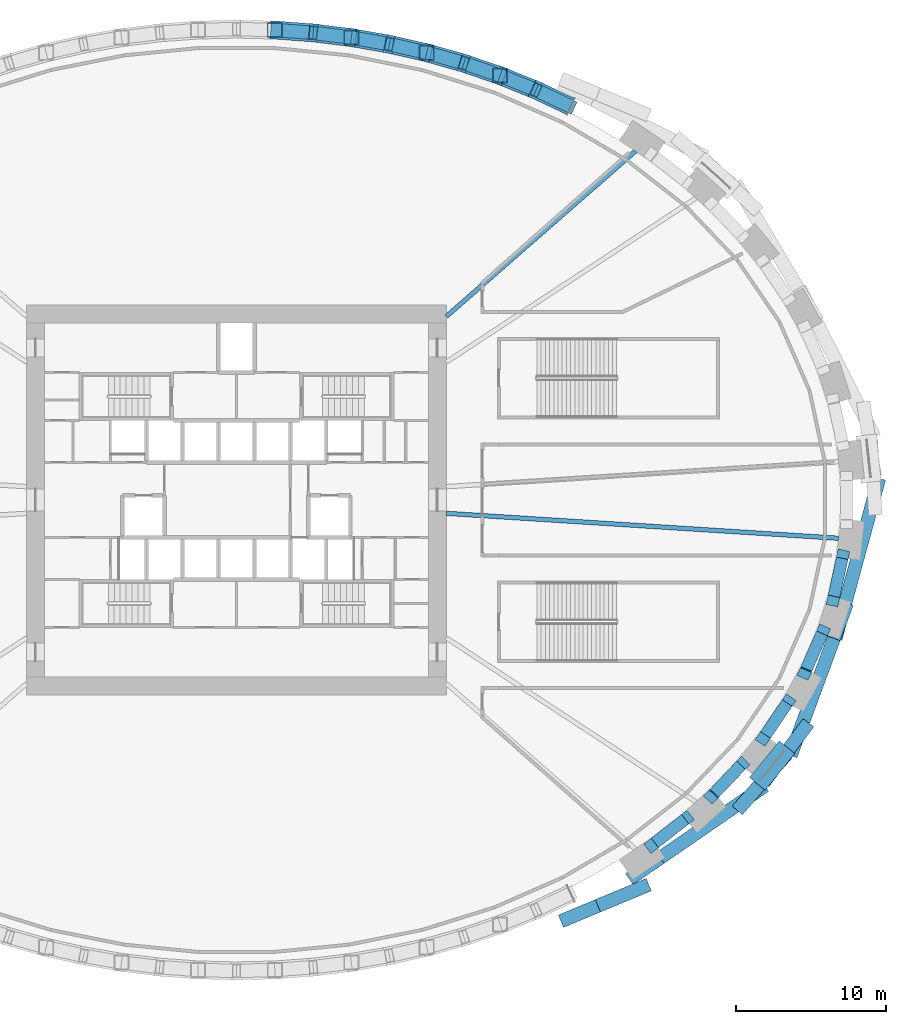
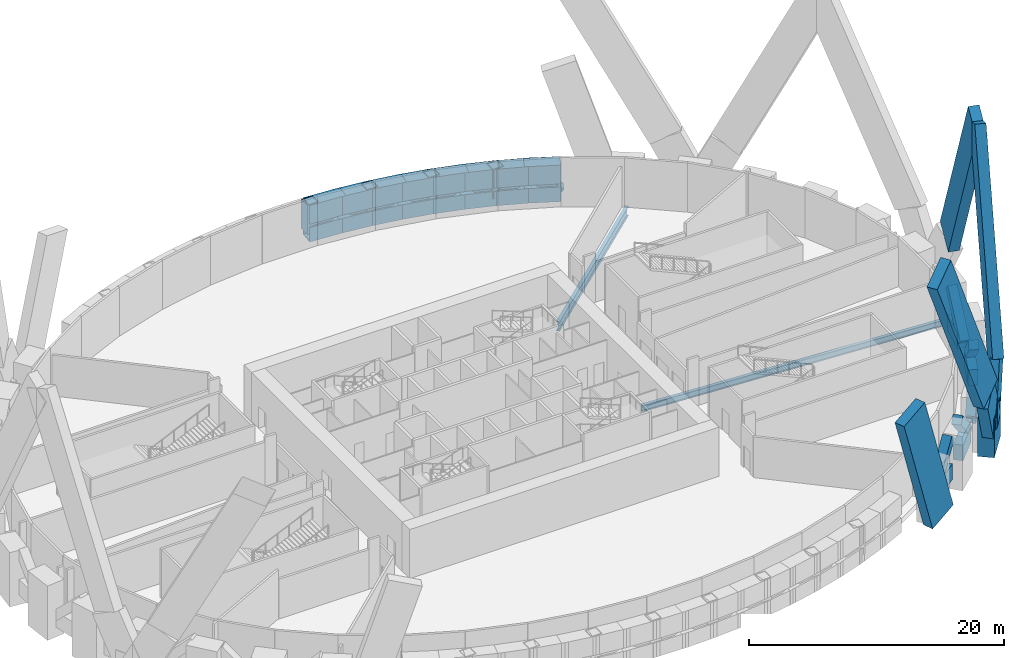
# One storey, part 4 of 16: 40 members, 7 beams.
"""IFC4 building model written with IfcOpenShell, lengths in metres."""

from ifc_helpers import new_model, si_unit, direction, frame, origin, origin_2d, place, context, subcontext, project, spatial, rectangle, hollow_rectangle, i_section, extrude, source, transform, mapped, material, material_profile, profile_set, type_object, element, save


model = new_model("IFC4")

# Units and contexts
model_context = context("Model", 3, precision=1e-05, world=origin(), true_north=direction((0.0, 1.0)))
body_context = subcontext(model_context, "Body", "Model", "MODEL_VIEW")
ifc_project = project(units=[si_unit("LENGTHUNIT", "METRE"), si_unit("AREAUNIT", "SQUARE_METRE"), si_unit("VOLUMEUNIT", "CUBIC_METRE"), si_unit("PLANEANGLEUNIT", "RADIAN"), si_unit("MASSUNIT", "GRAM", prefix="KILO")], contexts=[model_context])

# Site, building, storey
site_placement = place(None, origin())
site = spatial("IfcSite", under=ifc_project, at=site_placement, CompositionType="ELEMENT")
building_placement = place(site_placement, origin())
building = spatial("IfcBuilding", under=site, at=building_placement, Name="Embergate Tower", CompositionType="ELEMENT")
storey_placement = place(building_placement, frame((0.0, 0.0, 24.0)))
storey = spatial("IfcBuildingStorey", under=building, at=storey_placement, Name="L02", CompositionType="ELEMENT", Elevation=24.0)

# Beams
ifc_material_1 = material(Name="Concrete C70", Category="concrete")
ifc_material_profile_1 = material_profile(ifc_material_1, rectangle(XDim=0.800048828125, YDim=1.5, at=origin_2d()), Name="RC 800x1500")
ifc_profile_set_1 = profile_set([ifc_material_profile_1], Name="Concrete C70")
beam_type_1 = type_object("IfcBeamType", Name="Spandrel beam RC 800x1500 C70", PredefinedType="BEAM", material=ifc_profile_set_1)
shared_shape_1 = source(origin(), body_context, "Body", "SweptSolid", [
    extrude(rectangle(XDim=0.800048828125, YDim=1.5, at=origin_2d()), origin(), (0.0, 0.0, 1.0), 2.59716796875),
])
beam_1_placement = place(storey_placement, frame((39.862060546875, -6.424072265625, 0.0), z_axis=(0.210196709523, 0.977659114061, 0.0), x_axis=(-0.977659114061, 0.210196709523, 0.0)))
element("IfcBeam", 1, at=beam_1_placement, inside=storey, type_object=beam_type_1, Name="SPN-L02-42", PredefinedType="BEAM", context=body_context, shape_type="MappedRepresentation", body=[
    mapped(shared_shape_1, transform((0.0, 0.0, 0.0))),
])
shared_shape_2 = source(origin(), body_context, "Body", "SweptSolid", [
    extrude(rectangle(XDim=0.800048828125, YDim=1.5, at=origin_2d()), origin(), (0.0, 0.0, 1.0), 2.594482421875),
])
beam_2_placement = place(storey_placement, frame((38.02001953125, -11.27392578125, 0.0), z_axis=(0.401628265127, 0.915802782618, 0.0), x_axis=(-0.915802782618, 0.401628265127, 0.0)))
element("IfcBeam", 2, at=beam_2_placement, inside=storey, type_object=beam_type_1, Name="SPN-L02-41", PredefinedType="BEAM", context=body_context, shape_type="MappedRepresentation", body=[
    mapped(shared_shape_2, transform((0.0, 0.0, 0.0))),
])
shared_shape_3 = source(origin(), body_context, "Body", "SweptSolid", [
    extrude(rectangle(XDim=0.800048828125, YDim=1.5, at=origin_2d()), origin(), (0.0, 0.0, 1.0), 2.583251953125),
])
beam_3_placement = place(storey_placement, frame((35.291015625, -15.675048828125, 0.0), z_axis=(0.562418587306, 0.826852666836, 0.0), x_axis=(-0.826852666836, 0.562418587306, 0.0)))
element("IfcBeam", 3, at=beam_3_placement, inside=storey, type_object=beam_type_1, Name="SPN-L02-40", PredefinedType="BEAM", context=body_context, shape_type="MappedRepresentation", body=[
    mapped(shared_shape_3, transform((0.0, 0.0, 0.0))),
])
shared_shape_4 = source(origin(), body_context, "Body", "SweptSolid", [
    extrude(rectangle(XDim=0.800048828125, YDim=1.5, at=origin_2d()), origin(), (0.0, 0.0, 1.0), 2.577392578125),
])
beam_4_placement = place(storey_placement, frame((31.87890625, -19.56298828125, 0.0), z_axis=(0.68985145899, 0.723950940692, 0.0), x_axis=(-0.723950940692, 0.68985145899, 0.0)))
element("IfcBeam", 4, at=beam_4_placement, inside=storey, type_object=beam_type_1, Name="SPN-L02-39", PredefinedType="BEAM", context=body_context, shape_type="MappedRepresentation", body=[
    mapped(shared_shape_4, transform((0.0, 0.0, 0.0))),
])
shared_shape_5 = source(origin(), body_context, "Body", "SweptSolid", [
    extrude(rectangle(XDim=0.800048828125, YDim=1.5, at=origin_2d()), origin(), (0.0, 0.0, 1.0), 2.568359375),
])
beam_5_placement = place(storey_placement, frame((27.9130859375, -22.873046875, 0.0), z_axis=(0.788378750505, 0.615190170396, 0.0), x_axis=(-0.615190170396, 0.788378750505, 0.0)))
element("IfcBeam", 5, at=beam_5_placement, inside=storey, type_object=beam_type_1, Name="SPN-L02-38", PredefinedType="BEAM", context=body_context, shape_type="MappedRepresentation", body=[
    mapped(shared_shape_5, transform((0.0, 0.0, 0.0))),
])
ifc_material_2 = material(Name="Steel Q355B", Category="steel")
ifc_material_profile_2 = material_profile(ifc_material_2, i_section(OverallWidth=0.300048828125, OverallDepth=0.587890625, WebThickness=0.011962890625, FlangeThickness=0.02001953125, FilletRadius=0.012939453125, at=origin_2d()), Name="HM 588x300x12x20")
ifc_profile_set_2 = profile_set([ifc_material_profile_2], Name="Steel Q355 grade B")
beam_type_2 = type_object("IfcBeamType", Name="Plant girder HM 588x300x12x20", PredefinedType="BEAM", material=ifc_profile_set_2)
shared_shape_6 = source(origin(), body_context, "Body", "SweptSolid", [
    extrude(i_section(OverallWidth=0.300048828125, OverallDepth=0.587890625, WebThickness=0.011962890625, FlangeThickness=0.02001953125, FilletRadius=0.012939453125, at=origin_2d()), origin(), (0.0, 0.0, 1.0), 26.216796875),
])
beam_6_placement = place(storey_placement, frame((40.1640625, -2.552001953125, -0.7939453125), z_axis=(-0.997985925942, 0.063435728273, 0.0), x_axis=(-0.063435728273, -0.997985925942, 0.0)))
element("IfcBeam", 6, at=beam_6_placement, inside=storey, type_object=beam_type_2, Name="GIR-L02-43", PredefinedType="BEAM", context=body_context, shape_type="MappedRepresentation", body=[
    mapped(shared_shape_6, transform((0.0, 0.0, 0.0))),
])
ifc_material_profile_3 = material_profile(ifc_material_2, i_section(OverallWidth=0.300048828125, OverallDepth=0.89990234375, WebThickness=0.01611328125, FlangeThickness=0.028076171875, FilletRadius=0.028076171875, at=origin_2d()), Name="HN 900x300x16x28")
ifc_profile_set_3 = profile_set([ifc_material_profile_3], Name="Steel Q355 grade B")
beam_type_3 = type_object("IfcBeamType", Name="Plant girder HN 900x300x16x28", PredefinedType="BEAM", material=ifc_profile_set_3)
shared_shape_7 = source(origin(), body_context, "Body", "SweptSolid", [
    extrude(i_section(OverallWidth=0.300048828125, OverallDepth=0.89990234375, WebThickness=0.01611328125, FlangeThickness=0.028076171875, FilletRadius=0.028076171875, at=origin_2d()), origin(), (0.0, 0.0, 1.0), 16.760498046875),
])
beam_7_placement = place(storey_placement, frame((26.616943359375, 23.27587890625, -0.949951171875), z_axis=(-0.752779686922, -0.658272544587, 0.0), x_axis=(0.658272544587, -0.752779686922, 0.0)))
element("IfcBeam", 7, at=beam_7_placement, inside=storey, type_object=beam_type_3, Name="GIR-L02-05", PredefinedType="BEAM", context=body_context, shape_type="MappedRepresentation", body=[
    mapped(shared_shape_7, transform((0.0, 0.0, 0.0))),
])

# Members
ifc_material_3 = material(Name="Steel Q420GJD-Z25", Category="steel")
ifc_material_profile_4 = material_profile(ifc_material_3, hollow_rectangle(XDim=1.199951171875, YDim=1.39990234375, WallThickness=0.080078125, at=origin_2d()), Name="BOX 1400x1200x80")
ifc_profile_set_4 = profile_set([ifc_material_profile_4], Name="Steel Q420 grade GJD-Z25")
member_type_1 = type_object("IfcMemberType", Name="Transfer truss bottom chord BOX 1400x1200x80", PredefinedType="CHORD", material=ifc_profile_set_4)
shared_shape_8 = source(origin(), body_context, "Body", "SweptSolid", [
    extrude(hollow_rectangle(XDim=1.199951171875, YDim=1.39990234375, WallThickness=0.080078125, at=origin_2d()), origin(), (0.0, 0.0, 1.0), 2.85400390625),
])
member_1_placement = place(storey_placement, frame((22.297119140625, 26.256103515625, 0.699951171875), z_axis=(-0.904358715967, 0.426773139799, 0.0), x_axis=(-0.426773139799, -0.904358715967, 0.0)))
element("IfcMember", 8, at=member_1_placement, inside=storey, type_object=member_type_1, Name="TRF-N-BC00", PredefinedType="CHORD", context=body_context, shape_type="MappedRepresentation", body=[
    mapped(shared_shape_8, transform((0.0, 0.0, 0.0))),
])
ifc_material_profile_5 = material_profile(ifc_material_3, hollow_rectangle(XDim=1.199951171875, YDim=1.800048828125, WallThickness=0.090087890625, at=origin_2d()), Name="BOX 1800x1200x90")
ifc_profile_set_5 = profile_set([ifc_material_profile_5], Name="Steel Q420 grade GJD-Z25")
member_type_2 = type_object("IfcMemberType", Name="Transfer truss top chord BOX 1800x1200x90", PredefinedType="CHORD", material=ifc_profile_set_5)
shared_shape_9 = source(origin(), body_context, "Body", "SweptSolid", [
    extrude(hollow_rectangle(XDim=1.199951171875, YDim=1.800048828125, WallThickness=0.090087890625, at=origin_2d()), origin(), (0.0, 0.0, 1.0), 2.85400390625),
])
member_2_placement = place(storey_placement, frame((22.297119140625, 26.256103515625, 2.60009765625), z_axis=(-0.904358715967, 0.426773139799, 0.0), x_axis=(-0.426773139799, -0.904358715967, 0.0)))
element("IfcMember", 9, at=member_2_placement, inside=storey, type_object=member_type_2, Name="TRF-N-TC00", PredefinedType="CHORD", context=body_context, shape_type="MappedRepresentation", body=[
    mapped(shared_shape_9, transform((0.0, 0.0, 0.0))),
])
shared_shape_10 = source(origin(), body_context, "Body", "SweptSolid", [
    extrude(hollow_rectangle(XDim=1.199951171875, YDim=1.39990234375, WallThickness=0.080078125, at=origin_2d()), origin(), (0.0, 0.0, 1.0), 3.184814453125),
])
member_3_placement = place(storey_placement, frame((20.264892578125, 27.23388671875, 0.699951171875), z_axis=(-0.927175792195, 0.374626547868, 0.0), x_axis=(-0.374626547868, -0.927175792195, 0.0)))
element("IfcMember", 10, at=member_3_placement, inside=storey, type_object=member_type_1, Name="TRF-N-BC01", PredefinedType="CHORD", context=body_context, shape_type="MappedRepresentation", body=[
    mapped(shared_shape_10, transform((0.0, 0.0, 0.0))),
])
shared_shape_11 = source(origin(), body_context, "Body", "SweptSolid", [
    extrude(hollow_rectangle(XDim=1.199951171875, YDim=1.800048828125, WallThickness=0.090087890625, at=origin_2d()), origin(), (0.0, 0.0, 1.0), 3.184814453125),
])
member_4_placement = place(storey_placement, frame((20.264892578125, 27.23388671875, 2.60009765625), z_axis=(-0.927175792195, 0.374626547868, 0.0), x_axis=(-0.374626547868, -0.927175792195, 0.0)))
element("IfcMember", 11, at=member_4_placement, inside=storey, type_object=member_type_2, Name="TRF-N-TC01", PredefinedType="CHORD", context=body_context, shape_type="MappedRepresentation", body=[
    mapped(shared_shape_11, transform((0.0, 0.0, 0.0))),
])
shared_shape_12 = source(origin(), body_context, "Body", "SweptSolid", [
    extrude(hollow_rectangle(XDim=1.199951171875, YDim=1.39990234375, WallThickness=0.080078125, at=origin_2d()), origin(), (0.0, 0.0, 1.0), 3.15478515625),
])
member_5_placement = place(storey_placement, frame((17.8740234375, 28.218017578125, 0.699951171875), z_axis=(-0.946502130623, 0.322697562317, 0.0), x_axis=(-0.322697562317, -0.946502130623, 0.0)))
element("IfcMember", 12, at=member_5_placement, inside=storey, type_object=member_type_1, Name="TRF-N-BC02", PredefinedType="CHORD", context=body_context, shape_type="MappedRepresentation", body=[
    mapped(shared_shape_12, transform((0.0, 0.0, 0.0))),
])
shared_shape_13 = source(origin(), body_context, "Body", "SweptSolid", [
    extrude(hollow_rectangle(XDim=1.199951171875, YDim=1.800048828125, WallThickness=0.090087890625, at=origin_2d()), origin(), (0.0, 0.0, 1.0), 3.15478515625),
])
member_6_placement = place(storey_placement, frame((17.8740234375, 28.218017578125, 2.60009765625), z_axis=(-0.946502130623, 0.322697562317, 0.0), x_axis=(-0.322697562317, -0.946502130623, 0.0)))
element("IfcMember", 13, at=member_6_placement, inside=storey, type_object=member_type_2, Name="TRF-N-TC02", PredefinedType="CHORD", context=body_context, shape_type="MappedRepresentation", body=[
    mapped(shared_shape_13, transform((0.0, 0.0, 0.0))),
])
shared_shape_14 = source(origin(), body_context, "Body", "SweptSolid", [
    extrude(hollow_rectangle(XDim=1.199951171875, YDim=1.39990234375, WallThickness=0.080078125, at=origin_2d()), origin(), (0.0, 0.0, 1.0), 3.17919921875),
])
member_7_placement = place(storey_placement, frame((15.4609375, 29.056884765625, 0.699951171875), z_axis=(-0.962164650456, 0.272468687032, 0.0), x_axis=(-0.272468687032, -0.962164650456, 0.0)))
element("IfcMember", 14, at=member_7_placement, inside=storey, type_object=member_type_1, Name="TRF-N-BC03", PredefinedType="CHORD", context=body_context, shape_type="MappedRepresentation", body=[
    mapped(shared_shape_14, transform((0.0, 0.0, 0.0))),
])
shared_shape_15 = source(origin(), body_context, "Body", "SweptSolid", [
    extrude(hollow_rectangle(XDim=1.199951171875, YDim=1.800048828125, WallThickness=0.090087890625, at=origin_2d()), origin(), (0.0, 0.0, 1.0), 3.17919921875),
])
member_8_placement = place(storey_placement, frame((15.4609375, 29.056884765625, 2.60009765625), z_axis=(-0.962164650456, 0.272468687032, 0.0), x_axis=(-0.272468687032, -0.962164650456, 0.0)))
element("IfcMember", 15, at=member_8_placement, inside=storey, type_object=member_type_2, Name="TRF-N-TC03", PredefinedType="CHORD", context=body_context, shape_type="MappedRepresentation", body=[
    mapped(shared_shape_15, transform((0.0, 0.0, 0.0))),
])
shared_shape_16 = source(origin(), body_context, "Body", "SweptSolid", [
    extrude(hollow_rectangle(XDim=1.199951171875, YDim=1.39990234375, WallThickness=0.080078125, at=origin_2d()), origin(), (0.0, 0.0, 1.0), 3.156982421875),
])
member_9_placement = place(storey_placement, frame((12.98388671875, 29.77490234375, 0.699951171875), z_axis=(-0.975251981283, 0.221096298033, 0.0), x_axis=(-0.221096298033, -0.975251981283, 0.0)))
element("IfcMember", 16, at=member_9_placement, inside=storey, type_object=member_type_1, Name="TRF-N-BC04", PredefinedType="CHORD", context=body_context, shape_type="MappedRepresentation", body=[
    mapped(shared_shape_16, transform((0.0, 0.0, 0.0))),
])
shared_shape_17 = source(origin(), body_context, "Body", "SweptSolid", [
    extrude(hollow_rectangle(XDim=1.199951171875, YDim=1.800048828125, WallThickness=0.090087890625, at=origin_2d()), origin(), (0.0, 0.0, 1.0), 3.156982421875),
])
member_10_placement = place(storey_placement, frame((12.98388671875, 29.77490234375, 2.60009765625), z_axis=(-0.975251981283, 0.221096298033, 0.0), x_axis=(-0.221096298033, -0.975251981283, 0.0)))
element("IfcMember", 17, at=member_10_placement, inside=storey, type_object=member_type_2, Name="TRF-N-TC04", PredefinedType="CHORD", context=body_context, shape_type="MappedRepresentation", body=[
    mapped(shared_shape_17, transform((0.0, 0.0, 0.0))),
])
shared_shape_18 = source(origin(), body_context, "Body", "SweptSolid", [
    extrude(hollow_rectangle(XDim=1.199951171875, YDim=1.39990234375, WallThickness=0.080078125, at=origin_2d()), origin(), (0.0, 0.0, 1.0), 3.17431640625),
])
member_11_placement = place(storey_placement, frame((10.493896484375, 30.35498046875, 0.699951171875), z_axis=(-0.985100907682, 0.17197732898, 0.0), x_axis=(-0.17197732898, -0.985100907682, 0.0)))
element("IfcMember", 18, at=member_11_placement, inside=storey, type_object=member_type_1, Name="TRF-N-BC05", PredefinedType="CHORD", context=body_context, shape_type="MappedRepresentation", body=[
    mapped(shared_shape_18, transform((0.0, 0.0, 0.0))),
])
shared_shape_19 = source(origin(), body_context, "Body", "SweptSolid", [
    extrude(hollow_rectangle(XDim=1.199951171875, YDim=1.800048828125, WallThickness=0.090087890625, at=origin_2d()), origin(), (0.0, 0.0, 1.0), 3.17431640625),
])
member_12_placement = place(storey_placement, frame((10.493896484375, 30.35498046875, 2.60009765625), z_axis=(-0.985100907682, 0.17197732898, 0.0), x_axis=(-0.17197732898, -0.985100907682, 0.0)))
element("IfcMember", 19, at=member_12_placement, inside=storey, type_object=member_type_2, Name="TRF-N-TC05", PredefinedType="CHORD", context=body_context, shape_type="MappedRepresentation", body=[
    mapped(shared_shape_19, transform((0.0, 0.0, 0.0))),
])
shared_shape_20 = source(origin(), body_context, "Body", "SweptSolid", [
    extrude(hollow_rectangle(XDim=1.199951171875, YDim=1.39990234375, WallThickness=0.080078125, at=origin_2d()), origin(), (0.0, 0.0, 1.0), 3.15966796875),
])
member_13_placement = place(storey_placement, frame((7.9609375, 30.81201171875, 0.699951171875), z_axis=(-0.992472771118, 0.122465499589, 0.0), x_axis=(-0.122465499589, -0.992472771118, 0.0)))
element("IfcMember", 20, at=member_13_placement, inside=storey, type_object=member_type_1, Name="TRF-N-BC06", PredefinedType="CHORD", context=body_context, shape_type="MappedRepresentation", body=[
    mapped(shared_shape_20, transform((0.0, 0.0, 0.0))),
])
shared_shape_21 = source(origin(), body_context, "Body", "SweptSolid", [
    extrude(hollow_rectangle(XDim=1.199951171875, YDim=1.800048828125, WallThickness=0.090087890625, at=origin_2d()), origin(), (0.0, 0.0, 1.0), 3.15966796875),
])
member_14_placement = place(storey_placement, frame((7.9609375, 30.81201171875, 2.60009765625), z_axis=(-0.992472771118, 0.122465499589, 0.0), x_axis=(-0.122465499589, -0.992472771118, 0.0)))
element("IfcMember", 21, at=member_14_placement, inside=storey, type_object=member_type_2, Name="TRF-N-TC06", PredefinedType="CHORD", context=body_context, shape_type="MappedRepresentation", body=[
    mapped(shared_shape_21, transform((0.0, 0.0, 0.0))),
])
shared_shape_22 = source(origin(), body_context, "Body", "SweptSolid", [
    extrude(hollow_rectangle(XDim=1.199951171875, YDim=1.39990234375, WallThickness=0.080078125, at=origin_2d()), origin(), (0.0, 0.0, 1.0), 3.167724609375),
])
member_15_placement = place(storey_placement, frame((5.422119140625, 31.139892578125, 0.699951171875), z_axis=(-0.997310277144, 0.0732953689, 0.0), x_axis=(-0.0732953689, -0.997310277144, 0.0)))
element("IfcMember", 22, at=member_15_placement, inside=storey, type_object=member_type_1, Name="TRF-N-BC07", PredefinedType="CHORD", context=body_context, shape_type="MappedRepresentation", body=[
    mapped(shared_shape_22, transform((0.0, 0.0, 0.0))),
])
shared_shape_23 = source(origin(), body_context, "Body", "SweptSolid", [
    extrude(hollow_rectangle(XDim=1.199951171875, YDim=1.800048828125, WallThickness=0.090087890625, at=origin_2d()), origin(), (0.0, 0.0, 1.0), 3.167724609375),
])
member_16_placement = place(storey_placement, frame((5.422119140625, 31.139892578125, 2.60009765625), z_axis=(-0.997310277144, 0.0732953689, 0.0), x_axis=(-0.0732953689, -0.997310277144, 0.0)))
element("IfcMember", 23, at=member_16_placement, inside=storey, type_object=member_type_2, Name="TRF-N-TC07", PredefinedType="CHORD", context=body_context, shape_type="MappedRepresentation", body=[
    mapped(shared_shape_23, transform((0.0, 0.0, 0.0))),
])
ifc_material_4 = material(Name="Steel Q355D", Category="steel")
ifc_material_profile_6 = material_profile(ifc_material_4, hollow_rectangle(XDim=1.0, YDim=1.0, WallThickness=0.06005859375, at=origin_2d()), Name="BOX 1000x1000x60")
ifc_profile_set_6 = profile_set([ifc_material_profile_6], Name="Steel Q355 grade D")
member_type_3 = type_object("IfcMemberType", Name="Transfer truss post BOX 1000x1000x60", PredefinedType="POST", material=ifc_profile_set_6)
shared_shape_24 = source(origin(), body_context, "Body", "SweptSolid", [
    extrude(hollow_rectangle(XDim=1.0, YDim=1.0, WallThickness=0.06005859375, at=origin_2d()), origin(), (0.0, 0.0, 1.0), 2.800048828125),
])
for number, where, z_axis, x_axis, name in (
    (24, (17.590087890625, 28.31494140625, 0.699951171875), (0.0, 0.0, 1.0), (1.0, 0.0, 0.0), "TRF-N-PO02"),
    (25, (12.69091796875, 29.841064453125, 0.699951171875), (0.0, 0.0, 1.0), (1.0, 0.0, 0.0), "TRF-N-PO04"),
    (26, (7.6630859375, 30.84912109375, 0.699951171875), (0.0, 0.0, 1.0), (1.0, 0.0, 0.0), "TRF-N-PO06"),
    (27, (2.56201171875, 31.35009765625, 0.699951171875), (0.0, 0.0, 1.0), (1.0, 0.0, 0.0), "TRF-N-PO08"),
):
    element("IfcMember", number, at=place(storey_placement, frame(where, z_axis=z_axis, x_axis=x_axis)), inside=storey, type_object=member_type_3, Name=name, PredefinedType="POST", context=body_context, shape_type="MappedRepresentation", body=[
        mapped(shared_shape_24, transform((0.0, 0.0, 0.0))),
    ])
ifc_material_profile_7 = material_profile(ifc_material_4, hollow_rectangle(XDim=0.89990234375, YDim=0.89990234375, WallThickness=0.050048828125, at=origin_2d()), Name="BOX 900x900x50")
ifc_profile_set_7 = profile_set([ifc_material_profile_7], Name="Steel Q355 grade D")
member_type_4 = type_object("IfcMemberType", Name="Transfer truss diagonal BOX 900x900x50", PredefinedType="BRACE", material=ifc_profile_set_7)
shared_shape_25 = source(origin(), body_context, "Body", "SweptSolid", [
    extrude(hollow_rectangle(XDim=0.89990234375, YDim=0.89990234375, WallThickness=0.050048828125, at=origin_2d()), origin(), (0.0, 0.0, 1.0), 3.18359375),
])
member_17_placement = place(storey_placement, frame((22.297119140625, 26.256103515625, 0.699951171875), z_axis=(-0.725634345581, 0.342341124358, 0.596872977347), x_axis=(-0.4266806336, -0.904402364499, 0.0)))
element("IfcMember", 28, at=member_17_placement, inside=storey, type_object=member_type_4, Name="TRF-N-DG00", PredefinedType="BRACE", context=body_context, shape_type="MappedRepresentation", body=[
    mapped(shared_shape_25, transform((0.0, 0.0, 0.0))),
])
shared_shape_26 = source(origin(), body_context, "Body", "SweptSolid", [
    extrude(hollow_rectangle(XDim=0.89990234375, YDim=0.89990234375, WallThickness=0.050048828125, at=origin_2d()), origin(), (0.0, 0.0, 1.0), 3.20849609375),
])
member_18_placement = place(storey_placement, frame((19.987060546875, 27.345947265625, 2.60009765625), z_axis=(-0.747050975398, 0.302000949415, -0.592207959006), x_axis=(-0.374790902419, -0.927109367585, 0.0)))
element("IfcMember", 29, at=member_18_placement, inside=storey, type_object=member_type_4, Name="TRF-N-DG01", PredefinedType="BRACE", context=body_context, shape_type="MappedRepresentation", body=[
    mapped(shared_shape_26, transform((0.0, 0.0, 0.0))),
])
shared_shape_27 = source(origin(), body_context, "Body", "SweptSolid", [
    extrude(hollow_rectangle(XDim=0.89990234375, YDim=0.89990234375, WallThickness=0.050048828125, at=origin_2d()), origin(), (0.0, 0.0, 1.0), 3.183837890625),
])
member_19_placement = place(storey_placement, frame((17.590087890625, 28.31494140625, 0.699951171875), z_axis=(-0.759479434261, 0.258808874256, 0.596832435062), x_axis=(-0.322557168561, -0.946549984422, 0.0)))
element("IfcMember", 30, at=member_19_placement, inside=storey, type_object=member_type_4, Name="TRF-N-DG02", PredefinedType="BRACE", context=body_context, shape_type="MappedRepresentation", body=[
    mapped(shared_shape_27, transform((0.0, 0.0, 0.0))),
])
shared_shape_28 = source(origin(), body_context, "Body", "SweptSolid", [
    extrude(hollow_rectangle(XDim=0.89990234375, YDim=0.89990234375, WallThickness=0.050048828125, at=origin_2d()), origin(), (0.0, 0.0, 1.0), 3.203125),
])
member_20_placement = place(storey_placement, frame((15.172119140625, 29.138916015625, 2.60009765625), z_axis=(-0.774621976013, 0.219208186856, -0.593218817211), x_axis=(-0.272294349332, -0.962214002872, 0.0)))
element("IfcMember", 31, at=member_20_placement, inside=storey, type_object=member_type_4, Name="TRF-N-DG03", PredefinedType="BRACE", context=body_context, shape_type="MappedRepresentation", body=[
    mapped(shared_shape_28, transform((0.0, 0.0, 0.0))),
])
shared_shape_29 = source(origin(), body_context, "Body", "SweptSolid", [
    extrude(hollow_rectangle(XDim=0.89990234375, YDim=0.89990234375, WallThickness=0.050048828125, at=origin_2d()), origin(), (0.0, 0.0, 1.0), 3.185302734375),
])
member_21_placement = place(storey_placement, frame((12.69091796875, 29.841064453125, 0.699951171875), z_axis=(-0.782658403061, 0.177671352296, 0.596555709629), x_axis=(-0.221377552886, -0.97518817624, 0.0)))
element("IfcMember", 32, at=member_21_placement, inside=storey, type_object=member_type_4, Name="TRF-N-DG04", PredefinedType="BRACE", context=body_context, shape_type="MappedRepresentation", body=[
    mapped(shared_shape_29, transform((0.0, 0.0, 0.0))),
])
shared_shape_30 = source(origin(), body_context, "Body", "SweptSolid", [
    extrude(hollow_rectangle(XDim=0.89990234375, YDim=0.89990234375, WallThickness=0.050048828125, at=origin_2d()), origin(), (0.0, 0.0, 1.0), 3.19873046875),
])
member_22_placement = place(storey_placement, frame((10.197998046875, 30.406982421875, 2.60009765625), z_axis=(-0.792476520346, 0.138223536391, -0.594033011447), x_axis=(-0.171825645618, -0.985127376286, 0.0)))
element("IfcMember", 33, at=member_22_placement, inside=storey, type_object=member_type_4, Name="TRF-N-DG05", PredefinedType="BRACE", context=body_context, shape_type="MappedRepresentation", body=[
    mapped(shared_shape_30, transform((0.0, 0.0, 0.0))),
])
shared_shape_31 = source(origin(), body_context, "Body", "SweptSolid", [
    extrude(hollow_rectangle(XDim=0.89990234375, YDim=0.89990234375, WallThickness=0.050048828125, at=origin_2d()), origin(), (0.0, 0.0, 1.0), 3.1875),
])
member_23_placement = place(storey_placement, frame((7.6630859375, 30.84912109375, 0.699951171875), z_axis=(-0.796868705357, 0.098191626323, 0.596119678373), x_axis=(-0.122296880814, -0.992493563175, 0.0)))
element("IfcMember", 34, at=member_23_placement, inside=storey, type_object=member_type_4, Name="TRF-N-DG06", PredefinedType="BRACE", context=body_context, shape_type="MappedRepresentation", body=[
    mapped(shared_shape_31, transform((0.0, 0.0, 0.0))),
])
shared_shape_32 = source(origin(), body_context, "Body", "SweptSolid", [
    extrude(hollow_rectangle(XDim=0.89990234375, YDim=0.89990234375, WallThickness=0.050048828125, at=origin_2d()), origin(), (0.0, 0.0, 1.0), 3.194580078125),
])
member_24_placement = place(storey_placement, frame((5.123046875, 31.162109375, 2.60009765625), z_axis=(-0.801702703842, 0.058847576926, -0.594819079504), x_axis=(-0.073206287076, -0.997316820039, 0.0)))
element("IfcMember", 35, at=member_24_placement, inside=storey, type_object=member_type_4, Name="TRF-N-DG07", PredefinedType="BRACE", context=body_context, shape_type="MappedRepresentation", body=[
    mapped(shared_shape_32, transform((0.0, 0.0, 0.0))),
])
ifc_material_profile_8 = material_profile(ifc_material_1, rectangle(XDim=0.800048828125, YDim=0.800048828125, at=origin_2d()), Name="RC 800x800")
ifc_profile_set_8 = profile_set([ifc_material_profile_8], Name="Concrete C70")
member_type_5 = type_object("IfcMemberType", Name="Belt ring diagonal RC 800x800", PredefinedType="BRACE", material=ifc_profile_set_8)
shared_shape_33 = source(origin(), body_context, "Body", "SweptSolid", [
    extrude(rectangle(XDim=0.800048828125, YDim=0.800048828125, at=origin_2d()), origin(), (0.0, 0.0, 1.0), 4.548583984375),
])
member_25_placement = place(storey_placement, frame((39.7880859375, -6.77001953125, 0.0810546875), z_axis=(0.148834484333, 0.692056199419, 0.706333145987), x_axis=(-0.977646803044, 0.210253961908, 0.0)))
element("IfcMember", 36, at=member_25_placement, inside=storey, type_object=member_type_5, Name="BLT-L02-42", PredefinedType="BRACE", context=body_context, shape_type="MappedRepresentation", body=[
    mapped(shared_shape_33, transform((0.0, 0.0, 0.0))),
])
shared_shape_34 = source(origin(), body_context, "Body", "SweptSolid", [
    extrude(rectangle(XDim=0.800048828125, YDim=0.800048828125, at=origin_2d()), origin(), (0.0, 0.0, 1.0), 4.48681640625),
])
member_26_placement = place(storey_placement, frame((39.153076171875, -8.69091796875, 0.2080078125), z_axis=(-0.284201174876, -0.647900323425, 0.706721206067), x_axis=(0.915770340251, -0.401702232899, 0.0)))
element("IfcMember", 37, at=member_26_placement, inside=storey, type_object=member_type_5, Name="BLT-L02-41", PredefinedType="BRACE", context=body_context, shape_type="MappedRepresentation", body=[
    mapped(shared_shape_34, transform((0.0, 0.0, 0.0))),
])
shared_shape_35 = source(origin(), body_context, "Body", "SweptSolid", [
    extrude(rectangle(XDim=0.800048828125, YDim=0.800048828125, at=origin_2d()), origin(), (0.0, 0.0, 1.0), 4.419677734375),
])
member_27_placement = place(storey_placement, frame((35.092041015625, -15.967041015625, 0.080078125), z_axis=(0.397071099663, 0.58378511147, 0.708187464898), x_axis=(-0.826862464884, 0.562404182209, 0.0)))
element("IfcMember", 38, at=member_27_placement, inside=storey, type_object=member_type_5, Name="BLT-L02-40", PredefinedType="BRACE", context=body_context, shape_type="MappedRepresentation", body=[
    mapped(shared_shape_35, transform((0.0, 0.0, 0.0))),
])
shared_shape_36 = source(origin(), body_context, "Body", "SweptSolid", [
    extrude(rectangle(XDim=0.800048828125, YDim=0.800048828125, at=origin_2d()), origin(), (0.0, 0.0, 1.0), 4.3896484375),
])
member_28_placement = place(storey_placement, frame((27.635986328125, -23.089111328125, 0.077880859375), z_axis=(0.554726152851, 0.432868823705, 0.710565603451), x_axis=(-0.615192978078, 0.788376559598, 0.0)))
element("IfcMember", 39, at=member_28_placement, inside=storey, type_object=member_type_5, Name="BLT-L02-38", PredefinedType="BRACE", context=body_context, shape_type="MappedRepresentation", body=[
    mapped(shared_shape_36, transform((0.0, 0.0, 0.0))),
])
shared_shape_37 = source(origin(), body_context, "Body", "SweptSolid", [
    extrude(rectangle(XDim=0.800048828125, YDim=0.800048828125, at=origin_2d()), origin(), (0.0, 0.0, 1.0), 4.39599609375),
])
member_29_placement = place(storey_placement, frame((33.77392578125, -17.573974609375, 0.263916015625), z_axis=(-0.48635011243, -0.510509333499, 0.709114792223), x_axis=(0.724031150672, -0.689767274417, 0.0)))
element("IfcMember", 40, at=member_29_placement, inside=storey, type_object=member_type_5, Name="BLT-L02-39", PredefinedType="BRACE", context=body_context, shape_type="MappedRepresentation", body=[
    mapped(shared_shape_37, transform((0.0, 0.0, 0.0))),
])
ifc_material_profile_9 = material_profile(ifc_material_1, rectangle(XDim=1.35009765625, YDim=3.14990234375, at=origin_2d()), Name="RC 1350x3150")
ifc_profile_set_9 = profile_set([ifc_material_profile_9], Name="Concrete C70")
member_type_6 = type_object("IfcMemberType", Name="Lattice node block RC 1350x3150", PredefinedType="POST", material=ifc_profile_set_9)
shared_shape_38 = source(origin(), body_context, "Body", "SweptSolid", [
    extrude(rectangle(XDim=1.35009765625, YDim=3.14990234375, at=origin_2d()), origin(), (0.0, 0.0, 1.0), 3.64990234375),
])
member_30_placement = place(storey_placement, frame((35.739990234375, -17.715087890625, -1.824951171875), z_axis=(0.0, 0.0, 1.0), x_axis=(0.775925311702, -0.630824786022, 0.0)))
element("IfcMember", 41, at=member_30_placement, inside=storey, type_object=member_type_6, Name="NOD-L02-40", PredefinedType="POST", context=body_context, shape_type="MappedRepresentation", body=[
    mapped(shared_shape_38, transform((0.0, 0.0, 0.0))),
])
ifc_material_profile_10 = material_profile(ifc_material_1, rectangle(XDim=0.89990234375, YDim=2.800048828125, at=origin_2d()), Name="RC 900x2800")
ifc_profile_set_10 = profile_set([ifc_material_profile_10], Name="Concrete C70")
member_type_7 = type_object("IfcMemberType", Name="Lattice diagonal terracotta-faced RC 900x2800", PredefinedType="BRACE", material=ifc_profile_set_10)
shared_shape_39 = source(origin(), body_context, "Body", "SweptSolid", [
    extrude(rectangle(XDim=0.89990234375, YDim=2.800048828125, at=origin_2d()), origin(), (0.0, 0.0, 1.0), 18.87451171875),
])
member_31_placement = place(storey_placement, frame((42.549072265625, 0.243896484375, 5.0), z_axis=(-0.119635866594, -0.439790189665, 0.890096538865), x_axis=(0.964934555144, -0.262490579427, 0.0)))
element("IfcMember", 42, at=member_31_placement, inside=storey, type_object=member_type_7, Name="BRC-L02-00-42-S01", PredefinedType="BRACE", context=body_context, shape_type="MappedRepresentation", body=[
    mapped(shared_shape_39, transform((0.0, 0.0, 0.0))),
])
shared_shape_40 = source(origin(), body_context, "Body", "SweptSolid", [
    extrude(rectangle(XDim=0.89990234375, YDim=2.800048828125, at=origin_2d()), origin(), (0.0, 0.0, 1.0), 5.613037109375),
])
member_32_placement = place(storey_placement, frame((35.9140625, -17.85693359375, 0.0), z_axis=(-0.300201514621, -0.341173671499, 0.890774705801), x_axis=(0.750747691826, -0.660589057749, 0.0)))
element("IfcMember", 43, at=member_32_placement, inside=storey, type_object=member_type_7, Name="BRC-L02-40-38-S00", PredefinedType="BRACE", context=body_context, shape_type="MappedRepresentation", body=[
    mapped(shared_shape_40, transform((0.0, 0.0, 0.0))),
])
shared_shape_41 = source(origin(), body_context, "Body", "SweptSolid", [
    extrude(rectangle(XDim=0.89990234375, YDim=2.800048828125, at=origin_2d()), origin(), (0.0, 0.0, 1.0), 18.8212890625),
])
member_33_placement = place(storey_placement, frame((34.22900390625, -19.77197265625, 5.0), z_axis=(-0.371388824538, -0.255565737175, 0.892612175018), x_axis=(0.566884119621, -0.823797544862, 0.0)))
element("IfcMember", 44, at=member_33_placement, inside=storey, type_object=member_type_7, Name="BRC-L02-40-38-S01", PredefinedType="BRACE", context=body_context, shape_type="MappedRepresentation", body=[
    mapped(shared_shape_41, transform((0.0, 0.0, 0.0))),
])
shared_shape_42 = source(origin(), body_context, "Body", "SweptSolid", [
    extrude(rectangle(XDim=0.89990234375, YDim=2.800048828125, at=origin_2d()), origin(), (0.0, 0.0, 1.0), 5.583740234375),
])
member_34_placement = place(storey_placement, frame((35.9140625, -17.85693359375, 0.0), z_axis=(0.267015077302, 0.356209568491, 0.895442735081), x_axis=(-0.800153188471, 0.599795694365, 0.0)))
element("IfcMember", 45, at=member_34_placement, inside=storey, type_object=member_type_7, Name="BRC-L02-40-42-S00", PredefinedType="BRACE", context=body_context, shape_type="MappedRepresentation", body=[
    mapped(shared_shape_42, transform((0.0, 0.0, 0.0))),
])
shared_shape_43 = source(origin(), body_context, "Body", "SweptSolid", [
    extrude(rectangle(XDim=0.89990234375, YDim=2.800048828125, at=origin_2d()), origin(), (0.0, 0.0, 1.0), 18.75048828125),
])
member_35_placement = place(storey_placement, frame((37.405029296875, -15.867919921875, 5.0), z_axis=(0.153914821093, 0.416576498269, 0.895976701113), x_axis=(-0.938021851883, 0.346576117744, 0.0)))
element("IfcMember", 46, at=member_35_placement, inside=storey, type_object=member_type_7, Name="BRC-L02-40-42-S01", PredefinedType="BRACE", context=body_context, shape_type="MappedRepresentation", body=[
    mapped(shared_shape_43, transform((0.0, 0.0, 0.0))),
])
shared_shape_44 = source(origin(), body_context, "Body", "SweptSolid", [
    extrude(rectangle(XDim=0.89990234375, YDim=2.800048828125, at=origin_2d()), origin(), (0.0, 0.0, 1.0), 12.39697265625),
])
member_36_placement = place(storey_placement, frame((26.27587890625, -26.172119140625, 0.0), z_axis=(-0.273841300916, -0.113888834462, 0.955007997505), x_axis=(0.384007067703, -0.923330153279, 0.0)))
element("IfcMember", 47, at=member_36_placement, inside=storey, type_object=member_type_7, Name="BRP-S-1-00", PredefinedType="BRACE", context=body_context, shape_type="MappedRepresentation", body=[
    mapped(shared_shape_44, transform((0.0, 0.0, 0.0))),
])

save(model, "model.ifc")
